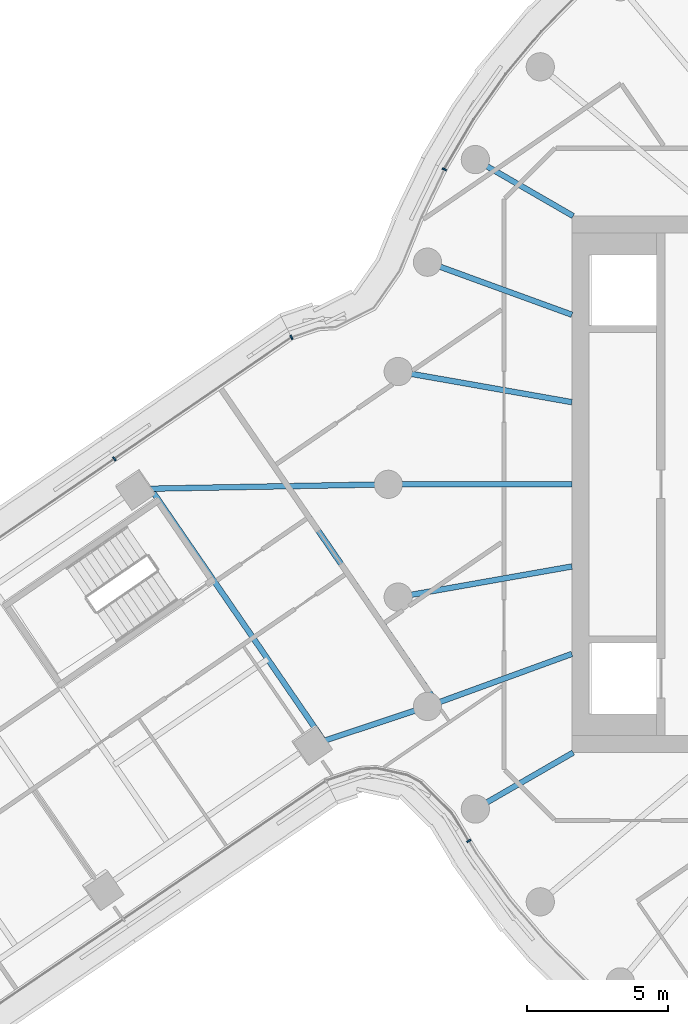
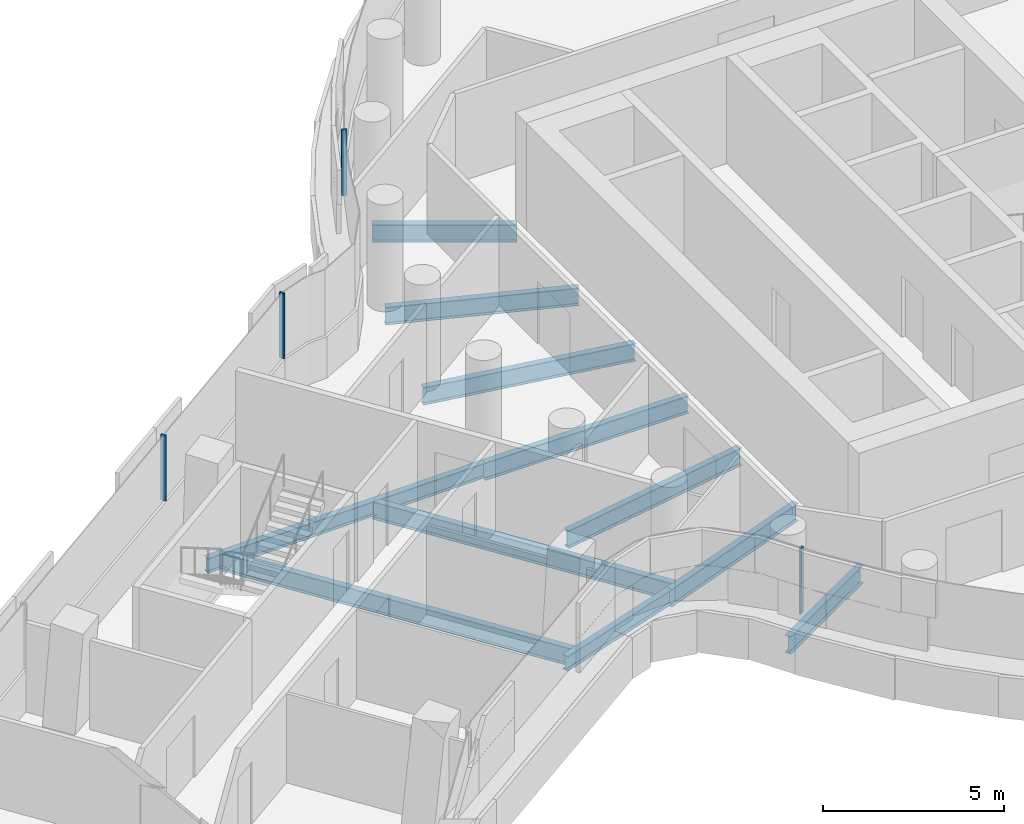
# One storey, part 9 of 33: 11 beams, 4 members, 3 elements without a shape of their own.
"""IFC4 building model written with IfcOpenShell, lengths in metres."""

from ifc_helpers import new_model, si_unit, direction, frame, origin, origin_2d, place, context, subcontext, project, spatial, rectangle, i_section, extrude, material, layer, layer_set, material_profile, profile_set, type_object, element, aggregate, save


model = new_model("IFC4")

# Units and contexts
model_context = context("Model", 3, precision=1e-05, world=origin(), true_north=direction((0.0, 1.0)))
body_context = subcontext(model_context, "Body", "Model", "MODEL_VIEW")
ifc_project = project(units=[si_unit("LENGTHUNIT", "METRE"), si_unit("AREAUNIT", "SQUARE_METRE"), si_unit("VOLUMEUNIT", "CUBIC_METRE"), si_unit("PLANEANGLEUNIT", "RADIAN"), si_unit("MASSUNIT", "GRAM", prefix="KILO")], contexts=[model_context])

# Site, building, storey
site_placement = place(None, origin())
site = spatial("IfcSite", under=ifc_project, at=site_placement, CompositionType="ELEMENT")
building_placement = place(site_placement, origin())
building = spatial("IfcBuilding", under=site, at=building_placement, Name="Tamarind Cross Interchange Tower", CompositionType="ELEMENT")
storey_placement = place(building_placement, frame((0.0, 0.0, 159.25)))
storey = spatial("IfcBuildingStorey", under=building, at=storey_placement, Name="L39", CompositionType="ELEMENT", Elevation=159.25)

# Beams
ifc_material_1 = material(Name="Steel Q355B", Category="steel")
ifc_material_profile_1 = material_profile(ifc_material_1, i_section(OverallWidth=0.198974609375, OverallDepth=0.49609375, WebThickness=0.009033203125, FlangeThickness=0.013916015625, FilletRadius=0.012939453125, at=origin_2d()), Name="HN 496x199x9x14")
ifc_profile_set_1 = profile_set([ifc_material_profile_1], Name="Steel Q355B")
beam_type_1 = type_object("IfcBeamType", Name="Composite beam HN 496x199x9x14 Q355B", PredefinedType="BEAM", material=ifc_profile_set_1)
beam_1_placement = place(storey_placement, frame((-31.95556640625, -0.164794921875, -0.387939453125), z_axis=(0.999830737301, 0.01839828111, 0.0), x_axis=(-0.01839828111, 0.999830737301, 0.0)))
element("IfcBeam", 1, at=beam_1_placement, inside=storey, type_object=beam_type_1, Name="Beam W-linkem", PredefinedType="BEAM", context=body_context, shape_type="SweptSolid", body=[
    extrude(i_section(OverallWidth=0.198974609375, OverallDepth=0.49609375, WebThickness=0.009033203125, FlangeThickness=0.013916015625, FilletRadius=0.012939453125, at=origin_2d()), origin(), (0.0, 0.0, 1.0), 8.95703125),
])
beam_2_placement = place(storey_placement, frame((-25.728515625, -9.232421875, -0.387939453125), z_axis=(0.949087895134, 0.315011376477, 0.0), x_axis=(-0.315011376477, 0.949087895134, 0.0)))
element("IfcBeam", 2, at=beam_2_placement, inside=storey, type_object=beam_type_1, Name="Beam W-linkep", PredefinedType="BEAM", context=body_context, shape_type="SweptSolid", body=[
    extrude(i_section(OverallWidth=0.198974609375, OverallDepth=0.49609375, WebThickness=0.009033203125, FlangeThickness=0.013916015625, FilletRadius=0.012939453125, at=origin_2d()), origin(), (0.0, 0.0, 1.0), 4.336181640625),
])
ifc_material_profile_2 = material_profile(ifc_material_1, i_section(OverallWidth=0.198974609375, OverallDepth=0.595947265625, WebThickness=0.010009765625, FlangeThickness=0.014892578125, FilletRadius=0.012939453125, at=origin_2d()), Name="HN 596x199x10x15")
ifc_profile_set_2 = profile_set([ifc_material_profile_2], Name="Steel Q355B")
beam_type_2 = type_object("IfcBeamType", Name="Composite beam HN 596x199x10x15 Q355B", PredefinedType="BEAM", material=ifc_profile_set_2)
beam_3_placement = place(storey_placement, frame((-19.918701171875, 11.5, -0.43798828125), z_axis=(0.866026010844, -0.49999894854, 0.0), x_axis=(0.49999894854, 0.866026010844, 0.0)))
element("IfcBeam", 3, at=beam_3_placement, inside=storey, type_object=beam_type_2, Name="Beam HH15", PredefinedType="BEAM", context=body_context, shape_type="SweptSolid", body=[
    extrude(i_section(OverallWidth=0.198974609375, OverallDepth=0.595947265625, WebThickness=0.010009765625, FlangeThickness=0.014892578125, FilletRadius=0.012939453125, at=origin_2d()), origin(), (0.0, 0.0, 1.0), 4.0),
])
beam_4_placement = place(storey_placement, frame((-21.613037109375, 7.866455078125, -0.43798828125), z_axis=(0.939701685589, -0.341995236956, 0.0), x_axis=(0.341995236956, 0.939701685589, 0.0)))
element("IfcBeam", 4, at=beam_4_placement, inside=storey, type_object=beam_type_2, Name="Beam HH16", PredefinedType="BEAM", context=body_context, shape_type="SweptSolid", body=[
    extrude(i_section(OverallWidth=0.198974609375, OverallDepth=0.595947265625, WebThickness=0.010009765625, FlangeThickness=0.014892578125, FilletRadius=0.012939453125, at=origin_2d()), origin(), (0.0, 0.0, 1.0), 5.441162109375),
])
beam_5_placement = place(storey_placement, frame((-22.650634765625, 3.993896484375, -0.43798828125), z_axis=(0.984809127561, -0.173640382036, 0.0), x_axis=(0.173640382036, 0.984809127561, 0.0)))
element("IfcBeam", 5, at=beam_5_placement, inside=storey, type_object=beam_type_2, Name="Beam HH17", PredefinedType="BEAM", context=body_context, shape_type="SweptSolid", body=[
    extrude(i_section(OverallWidth=0.198974609375, OverallDepth=0.595947265625, WebThickness=0.010009765625, FlangeThickness=0.014892578125, FilletRadius=0.012939453125, at=origin_2d()), origin(), (0.0, 0.0, 1.0), 6.24560546875),
])
beam_6_placement = place(storey_placement, frame((-23.0, 0.0, -0.43798828125), z_axis=(1.0, 0.0, 0.0), x_axis=(0.0, 1.0, 0.0)))
element("IfcBeam", 6, at=beam_6_placement, inside=storey, type_object=beam_type_2, Name="Beam HH18", PredefinedType="BEAM", context=body_context, shape_type="SweptSolid", body=[
    extrude(i_section(OverallWidth=0.198974609375, OverallDepth=0.595947265625, WebThickness=0.010009765625, FlangeThickness=0.014892578125, FilletRadius=0.012939453125, at=origin_2d()), origin(), (0.0, 0.0, 1.0), 6.5),
])
beam_7_placement = place(storey_placement, frame((-22.650634765625, -3.993896484375, -0.43798828125), z_axis=(0.984809127561, 0.173640382036, 0.0), x_axis=(-0.173640382036, 0.984809127561, 0.0)))
element("IfcBeam", 7, at=beam_7_placement, inside=storey, type_object=beam_type_2, Name="Beam HH19", PredefinedType="BEAM", context=body_context, shape_type="SweptSolid", body=[
    extrude(i_section(OverallWidth=0.198974609375, OverallDepth=0.595947265625, WebThickness=0.010009765625, FlangeThickness=0.014892578125, FilletRadius=0.012939453125, at=origin_2d()), origin(), (0.0, 0.0, 1.0), 6.24560546875),
])
beam_8_placement = place(storey_placement, frame((-21.613037109375, -7.866455078125, -0.43798828125), z_axis=(0.939701685589, 0.341995236956, 0.0), x_axis=(-0.341995236956, 0.939701685589, 0.0)))
element("IfcBeam", 8, at=beam_8_placement, inside=storey, type_object=beam_type_2, Name="Beam HH20", PredefinedType="BEAM", context=body_context, shape_type="SweptSolid", body=[
    extrude(i_section(OverallWidth=0.198974609375, OverallDepth=0.595947265625, WebThickness=0.010009765625, FlangeThickness=0.014892578125, FilletRadius=0.012939453125, at=origin_2d()), origin(), (0.0, 0.0, 1.0), 5.441162109375),
])
beam_9_placement = place(storey_placement, frame((-19.918701171875, -11.5, -0.43798828125), z_axis=(0.866026010844, 0.49999894854, 0.0), x_axis=(-0.49999894854, 0.866026010844, 0.0)))
element("IfcBeam", 9, at=beam_9_placement, inside=storey, type_object=beam_type_2, Name="Beam HH21", PredefinedType="BEAM", context=body_context, shape_type="SweptSolid", body=[
    extrude(i_section(OverallWidth=0.198974609375, OverallDepth=0.595947265625, WebThickness=0.010009765625, FlangeThickness=0.014892578125, FilletRadius=0.012939453125, at=origin_2d()), origin(), (0.0, 0.0, 1.0), 4.0),
])
ifc_material_profile_3 = material_profile(ifc_material_1, i_section(OverallWidth=0.199951171875, OverallDepth=0.60009765625, WebThickness=0.010986328125, FlangeThickness=0.01708984375, FilletRadius=0.012939453125, at=origin_2d()), Name="HN 600x200x11x17")
ifc_profile_set_3 = profile_set([ifc_material_profile_3], Name="Steel Q355B")
beam_type_3 = type_object("IfcBeamType", Name="Composite beam HN 600x200x11x17 Q355B", PredefinedType="BEAM", material=ifc_profile_set_3)
beam_10_placement = place(storey_placement, frame((-31.41650390625, -0.15478515625, -0.43994140625), z_axis=(0.56609451297, -0.824340343781, 0.0), x_axis=(0.824340343781, 0.56609451297, 0.0)))
element("IfcBeam", 10, at=beam_10_placement, inside=storey, type_object=beam_type_3, Name="Beam W-x298", PredefinedType="BEAM", context=body_context, shape_type="SweptSolid", body=[
    extrude(i_section(OverallWidth=0.199951171875, OverallDepth=0.60009765625, WebThickness=0.010986328125, FlangeThickness=0.01708984375, FilletRadius=0.012939453125, at=origin_2d()), origin(), (0.0, 0.0, 1.0), 10.8330078125),
])
beam_11_placement = place(storey_placement, frame((-26.564697265625, -0.065673828125, -0.43994140625), z_axis=(0.566112439203, -0.824328033115, 0.0), x_axis=(0.824328033115, 0.566112439203, 0.0)))
element("IfcBeam", 11, at=beam_11_placement, inside=storey, type_object=beam_type_3, Name="Beam W-x258", PredefinedType="BEAM", context=body_context, shape_type="SweptSolid", body=[
    extrude(i_section(OverallWidth=0.199951171875, OverallDepth=0.60009765625, WebThickness=0.010986328125, FlangeThickness=0.01708984375, FilletRadius=0.012939453125, at=origin_2d()), origin(), (0.0, 0.0, 1.0), 9.233642578125),
])

# Curtain wall, member
ifc_material_2 = material(Name="Aluminium 6063-T6", Category="aluminium")
ifc_layer = layer(ifc_material_2, 0.159912109375)
ifc_layer_set = layer_set([ifc_layer], Name="Aluminium 6063-T6")
curtain_wall_type = type_object("IfcCurtainWallType", Name="Office curtain wall, 9.0 m bays", PredefinedType="NOTDEFINED", material=ifc_layer_set)
curtain_wall_1_placement = place(storey_placement, origin())
curtain_wall_1 = element("IfcCurtainWall", 12, at=curtain_wall_1_placement, inside=storey, type_object=curtain_wall_type, Name="CWS-L39-02", PredefinedType="NOTDEFINED")
ifc_material_profile_4 = material_profile(ifc_material_2, rectangle(XDim=0.06005859375, YDim=0.159912109375, at=origin_2d()), Name="Mullion CW1")
ifc_profile_set_4 = profile_set([ifc_material_profile_4], Name="Aluminium 6063-T6")
member_type = type_object("IfcMemberType", Name="Mullion CW1", PredefinedType="MULLION", material=ifc_profile_set_4)
member_1_placement = place(storey_placement, frame((-20.149169921875, -12.629150390625, 1.39990234375), z_axis=(0.0, 0.0, 1.0), x_axis=(0.51624774387, -0.856439295542, 0.0)))
member_1 = element("IfcMember", 13, at=member_1_placement, type_object=member_type, Name="CWM-L39-02-01", PredefinedType="MULLION", context=body_context, shape_type="SweptSolid", body=[
    extrude(rectangle(XDim=0.06005859375, YDim=0.159912109375, at=origin_2d()), origin(), (0.0, 0.0, 1.0), 2.210205078125),
])
aggregate(curtain_wall_1, [member_1])

curtain_wall_2_placement = place(storey_placement, origin())
curtain_wall_2 = element("IfcCurtainWall", 14, at=curtain_wall_2_placement, inside=storey, type_object=curtain_wall_type, Name="CWS-L39-14", PredefinedType="NOTDEFINED")
member_2_placement = place(storey_placement, frame((-21.015380859375, 11.154296875, 1.39990234375), z_axis=(0.0, 0.0, 1.0), x_axis=(-0.435326231914, -0.900272776334, 0.0)))
member_2 = element("IfcMember", 15, at=member_2_placement, type_object=member_type, Name="CWM-L39-14-02", PredefinedType="MULLION", context=body_context, shape_type="SweptSolid", body=[
    extrude(rectangle(XDim=0.06005859375, YDim=0.159912109375, at=origin_2d()), origin(), (0.0, 0.0, 1.0), 2.210205078125),
])
aggregate(curtain_wall_2, [member_2])

# Curtain wall, members
curtain_wall_3_placement = place(storey_placement, origin())
curtain_wall_3 = element("IfcCurtainWall", 16, at=curtain_wall_3_placement, inside=storey, type_object=curtain_wall_type, Name="CWS-L39-15", PredefinedType="NOTDEFINED")
member_3_placement = place(storey_placement, frame((-26.431884765625, 5.20556640625, 1.39990234375), z_axis=(0.0, 0.0, 1.0), x_axis=(-0.893167319238, -0.449724515503, 0.0)))
member_3 = element("IfcMember", 17, at=member_3_placement, type_object=member_type, Name="CWM-L39-15-00", PredefinedType="MULLION", context=body_context, shape_type="SweptSolid", body=[
    extrude(rectangle(XDim=0.06005859375, YDim=0.159912109375, at=origin_2d()), origin(), (0.0, 0.0, 1.0), 2.210205078125),
])
member_4_placement = place(storey_placement, frame((-32.700439453125, 0.90087890625, 1.39990234375), z_axis=(0.0, 0.0, 1.0), x_axis=(-0.824339660174, -0.566095508429, 0.0)))
member_4 = element("IfcMember", 18, at=member_4_placement, type_object=member_type, Name="CWM-L39-15-01", PredefinedType="MULLION", context=body_context, shape_type="SweptSolid", body=[
    extrude(rectangle(XDim=0.06005859375, YDim=0.159912109375, at=origin_2d()), origin(), (0.0, 0.0, 1.0), 2.210205078125),
])
aggregate(curtain_wall_3, [member_3, member_4])

save(model, "model.ifc")
